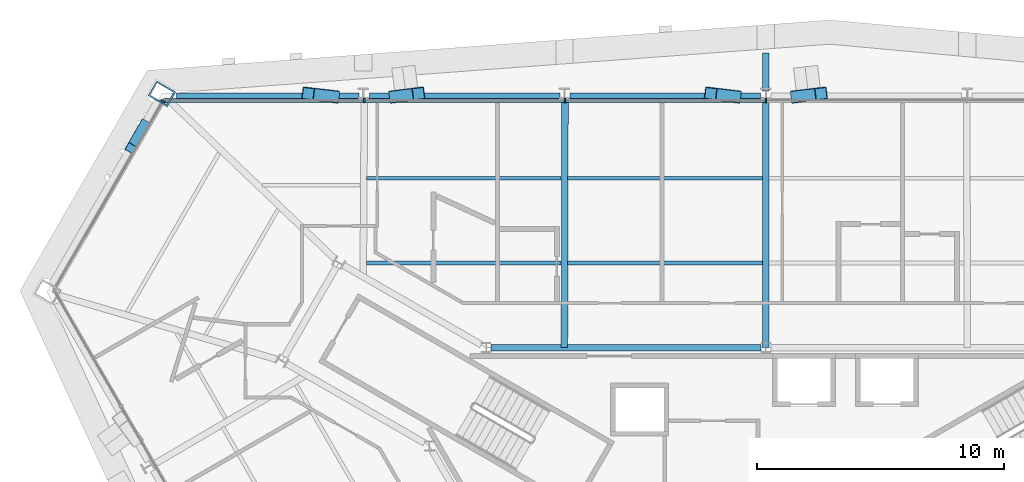
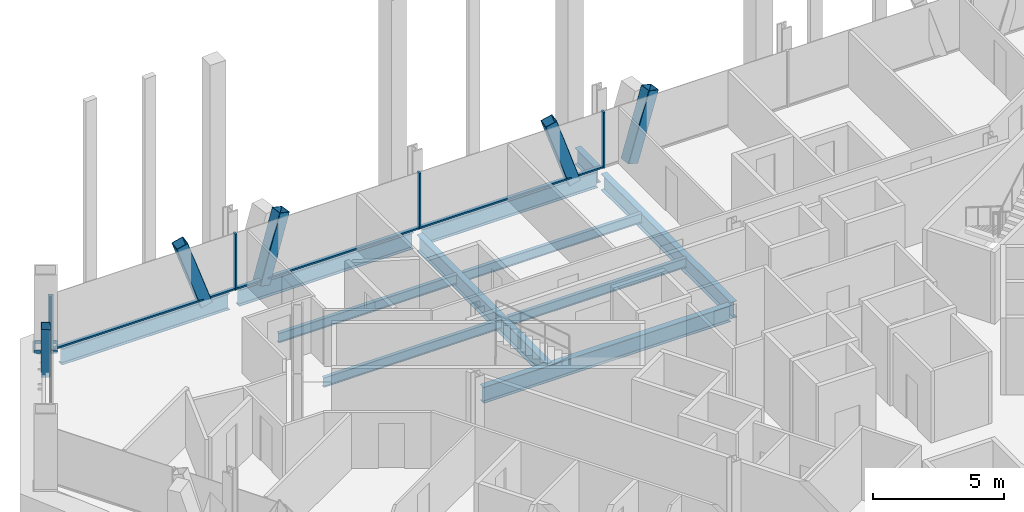
# One storey, part 8 of 19: 13 members, 11 beams, 2 elements without a shape of their own.
"""IFC4 building model written with IfcOpenShell, lengths in metres."""

from ifc_helpers import new_model, si_unit, direction, frame, origin, origin_2d, place, context, subcontext, project, spatial, rectangle, hollow_rectangle, i_section, extrude, material, material_profile, profile_set, type_object, element, aggregate, save


model = new_model("IFC4")

# Units and contexts
model_context = context("Model", 3, precision=1e-05, world=origin(), true_north=direction((0.0, 1.0)))
body_context = subcontext(model_context, "Body", "Model", "MODEL_VIEW")
ifc_project = project(units=[si_unit("LENGTHUNIT", "METRE"), si_unit("AREAUNIT", "SQUARE_METRE"), si_unit("VOLUMEUNIT", "CUBIC_METRE"), si_unit("PLANEANGLEUNIT", "RADIAN"), si_unit("MASSUNIT", "GRAM", prefix="KILO")], contexts=[model_context])

# Site, building, storey
site_placement = place(None, origin())
site = spatial("IfcSite", under=ifc_project, at=site_placement, CompositionType="ELEMENT")
building_placement = place(site_placement, origin())
building = spatial("IfcBuilding", under=site, at=building_placement, Name="Verrane Prism Tower", CompositionType="ELEMENT")
storey_placement = place(building_placement, frame((0.0, 0.0, 121.60009765625)))
storey = spatial("IfcBuildingStorey", under=building, at=storey_placement, Name="L29", CompositionType="ELEMENT", Elevation=121.60009765625)

# Member
ifc_material_1 = material(Name="Steel A500 Grade C", Category="steel")
ifc_material_profile_1 = material_profile(ifc_material_1, hollow_rectangle(XDim=0.355712890625, YDim=0.355712890625, WallThickness=0.0126953125, InnerFilletRadius=0.00634765625, OuterFilletRadius=0.01904296875, at=origin_2d()), Name="HSS14x14x1/2")
ifc_profile_set_1 = profile_set([ifc_material_profile_1], Name="Steel A500 Grade C")
member_type_1 = type_object("IfcMemberType", Name="Chamfer brace HSS14x14x1/2", PredefinedType="BRACE", material=ifc_profile_set_1)
member_1_placement = place(storey_placement, frame((-25.187744140625, 18.24609375, -0.2451171875), z_axis=(-0.172796075776, -0.299360618695, 0.938362795603), x_axis=(0.866075331272, -0.499913513082, 0.0)))
element("IfcMember", 1, at=member_1_placement, inside=storey, type_object=member_type_1, Name="Chamfer brace NW0 L29", PredefinedType="BRACE", context=body_context, shape_type="SweptSolid", body=[
    extrude(hollow_rectangle(XDim=0.355712890625, YDim=0.355712890625, WallThickness=0.0126953125, InnerFilletRadius=0.00634765625, OuterFilletRadius=0.01904296875, at=origin_2d()), origin(), (0.0, 0.0, 1.0), 3.2001953125),
])

# Beam
ifc_material_2 = material(Name="Steel A992", Category="steel")
ifc_material_profile_2 = material_profile(ifc_material_2, i_section(OverallWidth=0.2666015625, OverallDepth=0.7568359375, WebThickness=0.013916015625, FlangeThickness=0.019287109375, FilletRadius=0.0166015625, at=origin_2d()), Name="W30x108")
ifc_profile_set_2 = profile_set([ifc_material_profile_2], Name="Steel A992")
beam_type_1 = type_object("IfcBeamType", Name="Core ring girder W30x108", PredefinedType="BEAM", material=ifc_profile_set_2)
beam_1_placement = place(storey_placement, frame((-0.20068359375, 9.199951171875, -0.628662109375), z_axis=(-1.0, 0.0, 0.0), x_axis=(0.0, -1.0, 0.0)))
element("IfcBeam", 2, at=beam_1_placement, inside=storey, type_object=beam_type_1, Name="Core ring girder L29", PredefinedType="BEAM", context=body_context, shape_type="SweptSolid", body=[
    extrude(i_section(OverallWidth=0.2666015625, OverallDepth=0.7568359375, WebThickness=0.013916015625, FlangeThickness=0.019287109375, FilletRadius=0.0166015625, at=origin_2d()), origin(), (0.0, 0.0, 1.0), 10.9287109375),
])

# Members
ifc_material_3 = material(Name="Steel A1085 Grade A", Category="steel")
ifc_material_profile_3 = material_profile(ifc_material_3, hollow_rectangle(XDim=0.508056640625, YDim=0.508056640625, WallThickness=0.025390625, InnerFilletRadius=0.0126953125, OuterFilletRadius=0.0380859375, at=origin_2d()), Name="HSS20x20x1")
ifc_profile_set_3 = profile_set([ifc_material_profile_3], Name="Steel A1085 Grade A")
member_type_2 = type_object("IfcMemberType", Name="Facade brace HSS20x20x1", PredefinedType="BRACE", material=ifc_profile_set_3)
for number, where, z_axis, x_axis, name in (
    (3, (1.25830078125, 19.371337890625, -0.24267578125), (0.308706579243, 0.037489104826, 0.950418231597), (-0.120553601745, 0.992706819311, 0.0), "Facade brace N2 L29"),
    (4, (-1.25830078125, 19.371337890625, -0.24267578125), (-0.308706579243, 0.037489104826, 0.950418231597), (-0.120553601745, -0.992706819311, 0.0), "Facade brace N3 L29"),
):
    element("IfcMember", number, at=place(storey_placement, frame(where, z_axis=z_axis, x_axis=x_axis)), inside=storey, type_object=member_type_2, Name=name, PredefinedType="BRACE", context=body_context, shape_type="SweptSolid", body=[
        extrude(hollow_rectangle(XDim=0.508056640625, YDim=0.508056640625, WallThickness=0.025390625, InnerFilletRadius=0.0126953125, OuterFilletRadius=0.0380859375, at=origin_2d()), origin(), (0.0, 0.0, 1.0), 3.1650390625),
    ])
member_2_placement = place(storey_placement, frame((-15.010986328125, 19.371337890625, -0.24267578125), z_axis=(0.297336163977, 0.037631608253, 0.954030957386), x_axis=(-0.125560873886, 0.992085917121, 0.0)))
element("IfcMember", 5, at=member_2_placement, inside=storey, type_object=member_type_2, Name="Facade brace N4 L29", PredefinedType="BRACE", context=body_context, shape_type="SweptSolid", body=[
    extrude(hollow_rectangle(XDim=0.508056640625, YDim=0.508056640625, WallThickness=0.025390625, InnerFilletRadius=0.0126953125, OuterFilletRadius=0.0380859375, at=origin_2d()), origin(), (0.0, 0.0, 1.0), 3.153076171875),
])
member_3_placement = place(storey_placement, frame((-17.526611328125, 19.371337890625, -0.24267578125), z_axis=(-0.319463253999, 0.037348843263, 0.946862341236), x_axis=(-0.116120347205, -0.993235150891, 0.0)))
element("IfcMember", 6, at=member_3_placement, inside=storey, type_object=member_type_2, Name="Facade brace N5 L29", PredefinedType="BRACE", context=body_context, shape_type="SweptSolid", body=[
    extrude(hollow_rectangle(XDim=0.508056640625, YDim=0.508056640625, WallThickness=0.025390625, InnerFilletRadius=0.0126953125, OuterFilletRadius=0.0380859375, at=origin_2d()), origin(), (0.0, 0.0, 1.0), 3.1767578125),
])

# Beams
ifc_material_4 = material(Name="Steel A992", Category="steel")
ifc_material_profile_4 = material_profile(ifc_material_4, i_section(OverallWidth=0.15234375, OverallDepth=0.449462890625, WebThickness=0.007568359375, FlangeThickness=0.0107421875, FilletRadius=0.01025390625, at=origin_2d()), Name="W18x35")
ifc_profile_set_4 = profile_set([ifc_material_profile_4], Name="Steel A992")
beam_type_2 = type_object("IfcBeamType", Name="Floor beam W18x35", PredefinedType="BEAM", material=ifc_profile_set_4)
for number, where, z_axis, x_axis, name in (
    (7, (-8.026611328125, 12.6298828125, -0.385009765625), (1.0, 0.0, 0.0), (0.0, 1.0, 0.0), "Floor beam L29"),
    (8, (-8.026611328125, 16.06005859375, -0.385009765625), (1.0, 0.0, 0.0), (0.0, 1.0, 0.0), "Floor beam L29"),
):
    element("IfcBeam", number, at=place(storey_placement, frame(where, z_axis=z_axis, x_axis=x_axis)), inside=storey, type_object=beam_type_2, Name=name, PredefinedType="BEAM", context=body_context, shape_type="SweptSolid", body=[
        extrude(i_section(OverallWidth=0.15234375, OverallDepth=0.449462890625, WebThickness=0.007568359375, FlangeThickness=0.0107421875, FilletRadius=0.01025390625, at=origin_2d()), origin(), (0.0, 0.0, 1.0), 7.89306640625),
    ])
for number, where, z_axis, x_axis, name in (
    (9, (-16.176513671875, 12.6298828125, -0.385009765625), (1.0, 0.0, 0.0), (0.0, 1.0, 0.0), "Floor beam L29"),
    (10, (-16.176513671875, 16.06005859375, -0.385009765625), (1.0, 0.0, 0.0), (0.0, 1.0, 0.0), "Floor beam L29"),
):
    element("IfcBeam", number, at=place(storey_placement, frame(where, z_axis=z_axis, x_axis=x_axis)), inside=storey, type_object=beam_type_2, Name=name, PredefinedType="BEAM", context=body_context, shape_type="SweptSolid", body=[
        extrude(i_section(OverallWidth=0.15234375, OverallDepth=0.449462890625, WebThickness=0.007568359375, FlangeThickness=0.0107421875, FilletRadius=0.01025390625, at=origin_2d()), origin(), (0.0, 0.0, 1.0), 7.883056640625),
    ])

# Member
ifc_material_5 = material(Name="Steel A572 Grade 50", Category="steel")
ifc_material_profile_5 = material_profile(ifc_material_5, hollow_rectangle(XDim=0.699951171875, YDim=0.89990234375, WallThickness=0.06494140625, at=origin_2d()), Name="BOX 900x700x65")
ifc_profile_set_5 = profile_set([ifc_material_profile_5], Name="Steel A572 Grade 50")
member_type_3 = type_object("IfcMemberType", Name="Kink node BOX 900x700x65", PredefinedType="COLLAR", material=ifc_profile_set_5)
member_4_placement = place(storey_placement, frame((-24.4658203125, 19.482666015625, -0.0751953125), z_axis=(0.0, 0.0, 1.0), x_axis=(0.5, 0.866025403784, 0.0)))
element("IfcMember", 11, at=member_4_placement, inside=storey, type_object=member_type_3, Name="Kink node MC3 L29", PredefinedType="COLLAR", context=body_context, shape_type="SweptSolid", body=[
    extrude(hollow_rectangle(XDim=0.699951171875, YDim=0.89990234375, WallThickness=0.06494140625, at=origin_2d()), origin(), (0.0, 0.0, 1.0), 0.150146484375),
])

# Curtain wall, members
ifc_material_6 = material(Name="Aluminium framed insulated glazing", Category="aluminium")
curtain_wall_type = type_object("IfcCurtainWallType", Name="Curtain wall CW-A 8400 module", PredefinedType="NOTDEFINED", material=ifc_material_6)
curtain_wall_1_placement = place(storey_placement, origin())
curtain_wall_1 = element("IfcCurtainWall", 12, at=curtain_wall_1_placement, inside=storey, type_object=curtain_wall_type, Name="Glazed curtain wall north face L29", PredefinedType="NOTDEFINED")
ifc_material_7 = material(Name="Aluminium alloy 6063-T6", Category="aluminium")
ifc_material_profile_6 = material_profile(ifc_material_7, rectangle(XDim=0.199951171875, YDim=0.070068359375, at=origin_2d()), Name="Mullion 70x200 aluminium")
ifc_profile_set_6 = profile_set([ifc_material_profile_6], Name="Aluminium alloy 6063-T6")
member_type_4 = type_object("IfcMemberType", Name="Mullion 70x200 aluminium", PredefinedType="MULLION", material=ifc_profile_set_6)
member_5_placement = place(storey_placement, frame((0.0, 19.2109375, 0.0), z_axis=(0.0, 0.0, 1.0), x_axis=(0.0, -1.0, 0.0)))
member_5 = element("IfcMember", 13, at=member_5_placement, type_object=member_type_4, Name="CW29.2 mullion 4", PredefinedType="MULLION", context=body_context, shape_type="SweptSolid", body=[
    extrude(rectangle(XDim=0.199951171875, YDim=0.070068359375, at=origin_2d()), origin(), (0.0, 0.0, 1.0), 2.61279296875),
])
member_6_placement = place(storey_placement, frame((-8.1328125, 19.2109375, 0.0), z_axis=(0.0, 0.0, 1.0), x_axis=(0.0, -1.0, 0.0)))
member_6 = element("IfcMember", 14, at=member_6_placement, type_object=member_type_4, Name="CW29.2 mullion 5", PredefinedType="MULLION", context=body_context, shape_type="SweptSolid", body=[
    extrude(rectangle(XDim=0.199951171875, YDim=0.070068359375, at=origin_2d()), origin(), (0.0, 0.0, 1.0), 2.61279296875),
])
member_7_placement = place(storey_placement, frame((-16.265625, 19.2109375, 0.0), z_axis=(0.0, 0.0, 1.0), x_axis=(0.0, -1.0, 0.0)))
member_7 = element("IfcMember", 15, at=member_7_placement, type_object=member_type_4, Name="CW29.2 mullion 6", PredefinedType="MULLION", context=body_context, shape_type="SweptSolid", body=[
    extrude(rectangle(XDim=0.199951171875, YDim=0.070068359375, at=origin_2d()), origin(), (0.0, 0.0, 1.0), 2.61279296875),
])

# Curtain wall, member
curtain_wall_2_placement = place(storey_placement, origin())
curtain_wall_2 = element("IfcCurtainWall", 16, at=curtain_wall_2_placement, inside=storey, type_object=curtain_wall_type, Name="Glazed curtain wall north-west corner L29", PredefinedType="NOTDEFINED")
member_8_placement = place(storey_placement, frame((-24.416015625, 19.1806640625, 0.0), z_axis=(0.0, 0.0, 1.0), x_axis=(0.866026297252, -0.499998452466, 0.0)))
member_8 = element("IfcMember", 17, at=member_8_placement, type_object=member_type_4, Name="CW29.3 mullion 1", PredefinedType="MULLION", context=body_context, shape_type="SweptSolid", body=[
    extrude(rectangle(XDim=0.199951171875, YDim=0.070068359375, at=origin_2d()), origin(), (0.0, 0.0, 1.0), 2.61279296875),
])
aggregate(curtain_wall_2, [member_8])

# Beams
ifc_material_8 = material(Name="Steel A992", Category="steel")
ifc_material_profile_7 = material_profile(ifc_material_8, i_section(OverallWidth=0.2666015625, OverallDepth=0.76708984375, WebThickness=0.014892578125, FlangeThickness=0.023681640625, FilletRadius=0.0166015625, at=origin_2d()), Name="W30x124")
ifc_profile_set_7 = profile_set([ifc_material_profile_7], Name="Steel A992")
beam_type_3 = type_object("IfcBeamType", Name="Radial girder W30x124", PredefinedType="BEAM", material=ifc_profile_set_7)
for number, where, z_axis, x_axis, name in (
    (18, (0.0, 19.14404296875, -0.603515625), (0.0, -1.0, 0.0), (1.0, 0.0, 0.0), "Radial girder L29"),
    (19, (-8.13671875, 19.14404296875, -0.603515625), (-0.002332369488, -0.999997280023, 0.0), (0.999997280023, -0.002332369488, 0.0), "Radial girder L29"),
):
    element("IfcBeam", number, at=place(storey_placement, frame(where, z_axis=z_axis, x_axis=x_axis)), inside=storey, type_object=beam_type_3, Name=name, PredefinedType="BEAM", context=body_context, shape_type="SweptSolid", body=[
        extrude(i_section(OverallWidth=0.2666015625, OverallDepth=0.76708984375, WebThickness=0.014892578125, FlangeThickness=0.023681640625, FilletRadius=0.0166015625, at=origin_2d()), origin(), (0.0, 0.0, 1.0), 9.944091796875),
    ])
beam_2_placement = place(storey_placement, frame((0.0, 19.5947265625, -0.603515625), z_axis=(0.0, 1.0, 0.0), x_axis=(-1.0, 0.0, 0.0)))
element("IfcBeam", 20, at=beam_2_placement, inside=storey, type_object=beam_type_3, Name="Cantilever girder L29", PredefinedType="BEAM", context=body_context, shape_type="SweptSolid", body=[
    extrude(i_section(OverallWidth=0.2666015625, OverallDepth=0.76708984375, WebThickness=0.014892578125, FlangeThickness=0.023681640625, FilletRadius=0.0166015625, at=origin_2d()), origin(), (0.0, 0.0, 1.0), 1.549072265625),
])
ifc_material_9 = material(Name="Steel A992", Category="steel")
ifc_material_profile_8 = material_profile(ifc_material_9, i_section(OverallWidth=0.2666015625, OverallDepth=0.7568359375, WebThickness=0.013916015625, FlangeThickness=0.019287109375, FilletRadius=0.0166015625, at=origin_2d()), Name="W30x108")
ifc_profile_set_8 = profile_set([ifc_material_profile_8], Name="Steel A992")
beam_type_4 = type_object("IfcBeamType", Name="Spandrel beam W30x108", PredefinedType="SPANDREL", material=ifc_profile_set_8)
beam_3_placement = place(storey_placement, frame((-0.20947265625, 19.371337890625, -0.53857421875), z_axis=(-1.0, 0.0, 0.0), x_axis=(0.0, -1.0, 0.0)))
element("IfcBeam", 21, at=beam_3_placement, inside=storey, type_object=beam_type_4, Name="Spandrel beam L29", PredefinedType="SPANDREL", context=body_context, shape_type="SweptSolid", body=[
    extrude(i_section(OverallWidth=0.2666015625, OverallDepth=0.7568359375, WebThickness=0.013916015625, FlangeThickness=0.019287109375, FilletRadius=0.0166015625, at=origin_2d()), origin(), (0.0, 0.0, 1.0), 7.71728515625),
])
beam_4_placement = place(storey_placement, frame((-8.345703125, 19.371337890625, -0.53857421875), z_axis=(-1.0, 0.0, 0.0), x_axis=(0.0, -1.0, 0.0)))
element("IfcBeam", 22, at=beam_4_placement, inside=storey, type_object=beam_type_4, Name="Spandrel beam L29", PredefinedType="SPANDREL", context=body_context, shape_type="SweptSolid", body=[
    extrude(i_section(OverallWidth=0.2666015625, OverallDepth=0.7568359375, WebThickness=0.013916015625, FlangeThickness=0.019287109375, FilletRadius=0.0166015625, at=origin_2d()), origin(), (0.0, 0.0, 1.0), 7.708984375),
])
beam_5_placement = place(storey_placement, frame((-16.473876953125, 19.371337890625, -0.53857421875), z_axis=(-1.0, 0.0, 0.0), x_axis=(0.0, -1.0, 0.0)))
element("IfcBeam", 23, at=beam_5_placement, inside=storey, type_object=beam_type_4, Name="Spandrel beam L29", PredefinedType="SPANDREL", context=body_context, shape_type="SweptSolid", body=[
    extrude(i_section(OverallWidth=0.2666015625, OverallDepth=0.7568359375, WebThickness=0.013916015625, FlangeThickness=0.019287109375, FilletRadius=0.0166015625, at=origin_2d()), origin(), (0.0, 0.0, 1.0), 7.40869140625),
])

# Member
ifc_material_10 = material(Name="Aluminium alloy 6063-T6", Category="aluminium")
ifc_material_profile_9 = material_profile(ifc_material_10, rectangle(XDim=0.14990234375, YDim=0.070068359375, at=origin_2d()), Name="Transom 70x150 aluminium")
ifc_profile_set_9 = profile_set([ifc_material_profile_9], Name="Aluminium alloy 6063-T6")
member_type_5 = type_object("IfcMemberType", Name="Transom 70x150 aluminium", PredefinedType="USERDEFINED", material=ifc_profile_set_9)
member_9_placement = place(storey_placement, frame((-0.034912109375, 19.2109375, 0.034912109375), z_axis=(-1.0, 0.0, 0.0), x_axis=(0.0, -1.0, 0.0)))
member_9 = element("IfcMember", 24, at=member_9_placement, type_object=member_type_5, Name="CW29.2 transom 4", ObjectType="TRANSOM", PredefinedType="USERDEFINED", context=body_context, shape_type="SweptSolid", body=[
    extrude(rectangle(XDim=0.14990234375, YDim=0.070068359375, at=origin_2d()), origin(), (0.0, 0.0, 1.0), 8.06298828125),
])

member_10_placement = place(storey_placement, frame((-8.16796875, 19.2109375, 0.034912109375), z_axis=(-1.0, 0.0, 0.0), x_axis=(0.0, -1.0, 0.0)))
member_10 = element("IfcMember", 25, at=member_10_placement, type_object=member_type_5, Name="CW29.2 transom 5", ObjectType="TRANSOM", PredefinedType="USERDEFINED", context=body_context, shape_type="SweptSolid", body=[
    extrude(rectangle(XDim=0.14990234375, YDim=0.070068359375, at=origin_2d()), origin(), (0.0, 0.0, 1.0), 8.062744140625),
])

member_11_placement = place(storey_placement, frame((-16.30078125, 19.2109375, 0.034912109375), z_axis=(-1.0, 0.0, 0.0), x_axis=(0.0, -1.0, 0.0)))
member_11 = element("IfcMember", 26, at=member_11_placement, type_object=member_type_5, Name="CW29.2 transom 6", ObjectType="TRANSOM", PredefinedType="USERDEFINED", context=body_context, shape_type="SweptSolid", body=[
    extrude(rectangle(XDim=0.14990234375, YDim=0.070068359375, at=origin_2d()), origin(), (0.0, 0.0, 1.0), 8.097900390625),
])

aggregate(curtain_wall_1, [member_5, member_6, member_7, member_9, member_10, member_11])

save(model, "model.ifc")
